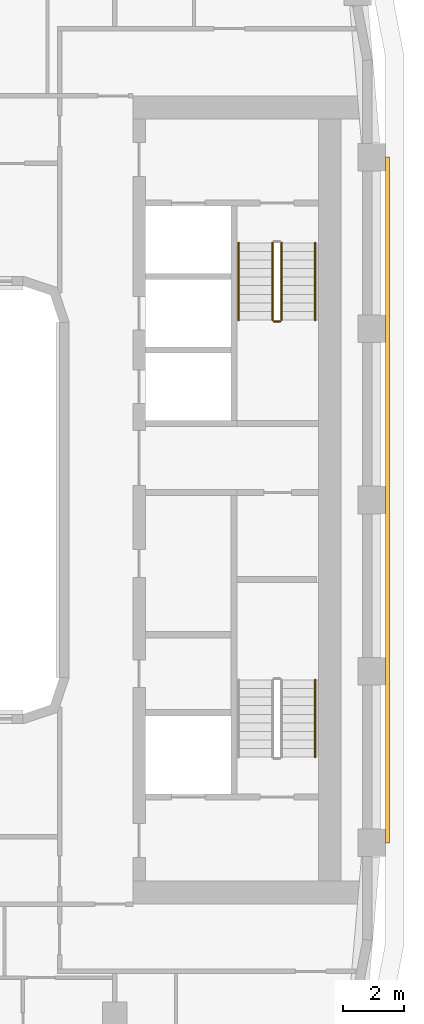
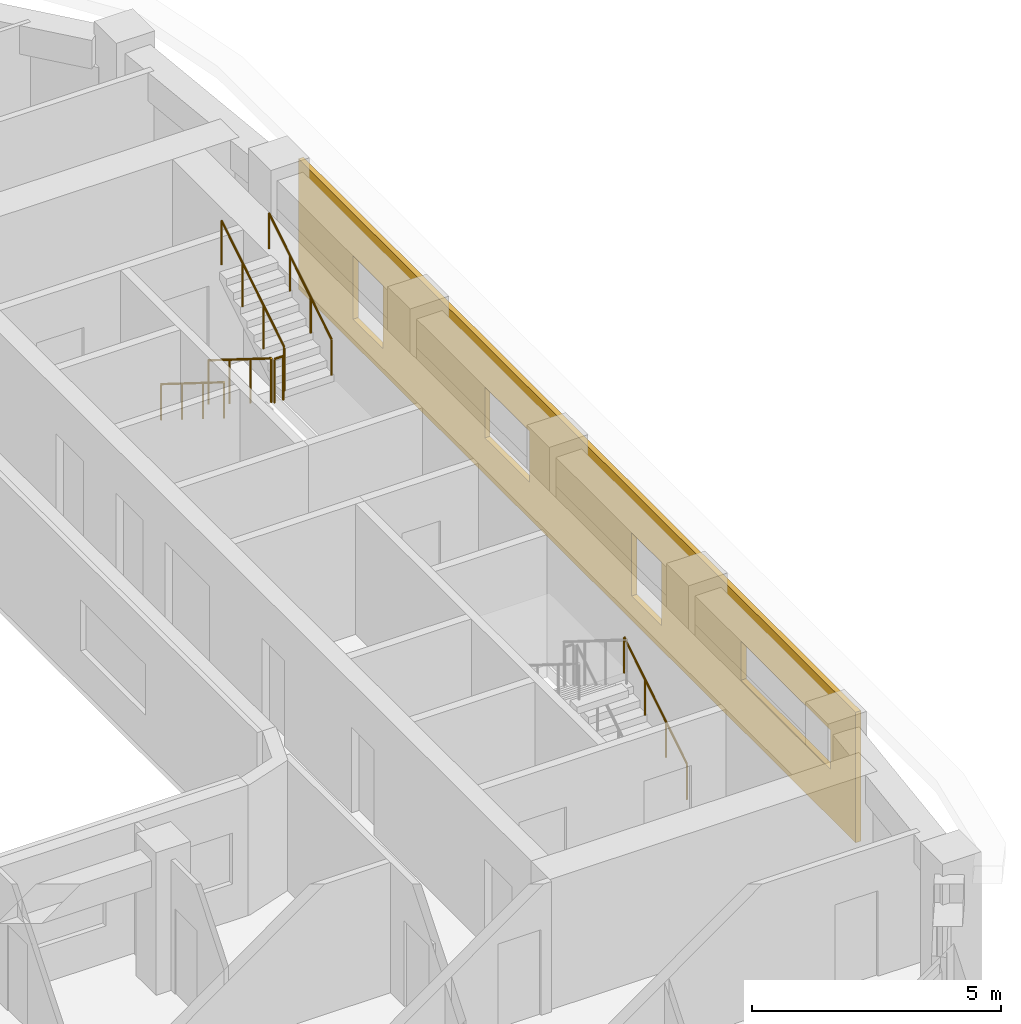
# One storey, part 18 of 21: 6 railings, 1 covering.
"""IFC4 building model written with IfcOpenShell, lengths in metres."""

from ifc_helpers import new_model, si_unit, direction, frame, origin, origin_2d, place, context, subcontext, project, spatial, polyline, circle, outline, extrude, material, layer, layer_set, type_object, element, save


model = new_model("IFC4")

# Units and contexts
model_context = context("Model", 3, precision=1e-05, world=origin(), true_north=direction((0.0, 1.0)))
body_context = subcontext(model_context, "Body", "Model", "MODEL_VIEW")
ifc_project = project(units=[si_unit("LENGTHUNIT", "METRE"), si_unit("AREAUNIT", "SQUARE_METRE"), si_unit("VOLUMEUNIT", "CUBIC_METRE"), si_unit("PLANEANGLEUNIT", "RADIAN"), si_unit("MASSUNIT", "GRAM", prefix="KILO")], contexts=[model_context])

# Site, building, storey
site_placement = place(None, origin())
site = spatial("IfcSite", under=ifc_project, at=site_placement, CompositionType="ELEMENT")
building_placement = place(site_placement, origin())
building = spatial("IfcBuilding", under=site, at=building_placement, Name="Kiln Ring Residences", CompositionType="ELEMENT")
storey_placement = place(building_placement, frame((0.0, 0.0, 195.89990234375)))
storey = spatial("IfcBuildingStorey", under=building, at=storey_placement, Name="L50", CompositionType="ELEMENT", Elevation=195.89990234375)

# Railings
ifc_material_1 = material(Name="Stainless steel", Category="steel")
railing_type_1 = type_object("IfcRailingType", Name="CORE-STAIR-GUARD", PredefinedType="GUARDRAIL", material=ifc_material_1)
railing_1_placement = place(storey_placement, frame((21.949951171875, 8.39990234375, 0.175048828125)))
element("IfcRailing", 1, at=railing_1_placement, inside=storey, type_object=railing_type_1, Name="L50 E-STN stair guard 1", PredefinedType="GUARDRAIL", context=body_context, shape_type="SweptSolid", body=[
    extrude(circle(Radius=0.02392578125, at=origin_2d()), frame((0.0, 0.0, 1.076171875), z_axis=(0.0, -0.848007534815, 0.529984170421), x_axis=(1.0, 0.0, 0.0)), (0.0, 0.0, 1.0), 2.9716796875),
    extrude(circle(Radius=0.02099609375, at=origin_2d()), origin(), (0.0, 0.0, 1.0), 1.052001953125),
    extrude(circle(Radius=0.02099609375, at=origin_2d()), frame((0.0, -0.840087890625, 0.52490234375)), (0.0, 0.0, 1.0), 1.052001953125),
    extrude(circle(Radius=0.02099609375, at=origin_2d()), frame((0.0, -1.679931640625, 1.050048828125)), (0.0, 0.0, 1.0), 1.052001953125),
    extrude(circle(Radius=0.02099609375, at=origin_2d()), frame((0.0, -2.52001953125, 1.574951171875)), (0.0, 0.0, 1.0), 1.052001953125),
])
railing_2_placement = place(storey_placement, frame((22.0, 5.830078125, 1.75)))
element("IfcRailing", 2, at=railing_2_placement, inside=storey, type_object=railing_type_1, Name="L50 E-STN stair guard 2", PredefinedType="GUARDRAIL", context=body_context, shape_type="SweptSolid", body=[
    extrude(circle(Radius=0.02392578125, at=origin_2d()), frame((0.0, 0.0, 1.076171875), z_axis=(1.0, 0.0, 0.0), x_axis=(0.0, 1.0, 0.0)), (0.0, 0.0, 1.0), 0.199951171875),
    extrude(circle(Radius=0.02099609375, at=origin_2d()), origin(), (0.0, 0.0, 1.0), 1.052001953125),
    extrude(circle(Radius=0.02099609375, at=origin_2d()), frame((0.199951171875, 0.0, 0.0)), (0.0, 0.0, 1.0), 1.052001953125),
])
railing_3_placement = place(storey_placement, frame((22.25, 5.8798828125, 1.925048828125)))
element("IfcRailing", 3, at=railing_3_placement, inside=storey, type_object=railing_type_1, Name="L50 E-STN stair guard 3", PredefinedType="GUARDRAIL", context=body_context, shape_type="SweptSolid", body=[
    extrude(circle(Radius=0.02392578125, at=origin_2d()), frame((0.0, 0.0, 1.076171875), z_axis=(0.0, 0.848007534815, 0.529984170421), x_axis=(-1.0, 0.0, 0.0)), (0.0, 0.0, 1.0), 2.9716796875),
    extrude(circle(Radius=0.02099609375, at=origin_2d()), origin(), (0.0, 0.0, 1.0), 1.052001953125),
    extrude(circle(Radius=0.02099609375, at=origin_2d()), frame((0.0, 0.840087890625, 0.52490234375)), (0.0, 0.0, 1.0), 1.052001953125),
    extrude(circle(Radius=0.02099609375, at=origin_2d()), frame((0.0, 1.679931640625, 1.050048828125)), (0.0, 0.0, 1.0), 1.052001953125),
    extrude(circle(Radius=0.02099609375, at=origin_2d()), frame((0.0, 2.52001953125, 1.574951171875)), (0.0, 0.0, 1.0), 1.052001953125),
])
ifc_material_2 = material(Name="Stainless steel", Category="steel")
railing_type_2 = type_object("IfcRailingType", Name="CORE-STAIR-HANDRAIL", PredefinedType="HANDRAIL", material=ifc_material_2)
railing_4_placement = place(storey_placement, frame((20.85009765625, 8.39990234375, 0.175048828125)))
element("IfcRailing", 4, at=railing_4_placement, inside=storey, type_object=railing_type_2, Name="L50 E-STN stair handrail 1", PredefinedType="HANDRAIL", context=body_context, shape_type="SweptSolid", body=[
    extrude(circle(Radius=0.02392578125, at=origin_2d()), frame((0.0, 0.0, 0.8759765625), z_axis=(0.0, -0.848007534815, 0.529984170421), x_axis=(1.0, 0.0, 0.0)), (0.0, 0.0, 1.0), 2.9716796875),
    extrude(circle(Radius=0.02099609375, at=origin_2d()), origin(), (0.0, 0.0, 1.0), 0.851806640625),
    extrude(circle(Radius=0.02099609375, at=origin_2d()), frame((0.0, -0.840087890625, 0.52490234375)), (0.0, 0.0, 1.0), 0.851806640625),
    extrude(circle(Radius=0.02099609375, at=origin_2d()), frame((0.0, -1.679931640625, 1.050048828125)), (0.0, 0.0, 1.0), 0.851806640625),
    extrude(circle(Radius=0.02099609375, at=origin_2d()), frame((0.0, -2.52001953125, 1.574951171875)), (0.0, 0.0, 1.0), 0.851806640625),
])
for number, where, name in (
    (5, (23.35009765625, 5.8798828125, 1.925048828125), "L50 E-STN stair handrail 2"),
    (6, (23.35009765625, -8.39990234375, 0.175048828125), "L50 E-STS stair handrail 1"),
):
    element("IfcRailing", number, at=place(storey_placement, frame(where)), inside=storey, type_object=railing_type_2, Name=name, PredefinedType="HANDRAIL", context=body_context, shape_type="SweptSolid", body=[
        extrude(circle(Radius=0.02392578125, at=origin_2d()), frame((0.0, 0.0, 0.8759765625), z_axis=(0.0, 0.848007534815, 0.529984170421), x_axis=(-1.0, 0.0, 0.0)), (0.0, 0.0, 1.0), 2.9716796875),
        extrude(circle(Radius=0.02099609375, at=origin_2d()), origin(), (0.0, 0.0, 1.0), 0.851806640625),
        extrude(circle(Radius=0.02099609375, at=origin_2d()), frame((0.0, 0.840087890625, 0.52490234375)), (0.0, 0.0, 1.0), 0.851806640625),
        extrude(circle(Radius=0.02099609375, at=origin_2d()), frame((0.0, 1.679931640625, 1.050048828125)), (0.0, 0.0, 1.0), 0.851806640625),
        extrude(circle(Radius=0.02099609375, at=origin_2d()), frame((0.0, 2.52001953125, 1.574951171875)), (0.0, 0.0, 1.0), 0.851806640625),
    ])

# Covering
ifc_material_3 = material(Name="Brick masonry, dark clay brick", Category="masonry")
ifc_layer = layer(ifc_material_3, 0.1201171875)
ifc_layer_set = layer_set([ifc_layer], Name="RAINSCREEN PANEL 120")
covering_type = type_object("IfcCoveringType", Name="RAINSCREEN PANEL 120", PredefinedType="CLADDING", material=ifc_layer_set)
covering_placement = place(storey_placement, frame((25.7099609375, -11.199951171875, 0.0), z_axis=(0.0, 0.0, 1.0), x_axis=(0.0, 1.0, 0.0)))
element("IfcCovering", 7, at=covering_placement, inside=storey, type_object=covering_type, Name="RAINSCREEN L50", PredefinedType="CLADDING", context=body_context, shape_type="SweptSolid", body=[
    extrude(outline(polyline([(0.0, 0.0), (22.39990234375, 0.0), (22.39990234375, 3.2001953125), (0.0, 3.2001953125), (0.0, 0.0)]), holes=[polyline([(9.0, 0.60009765625), (9.0, 2.150146484375), (7.800048828125, 2.150146484375), (7.800048828125, 0.60009765625), (9.0, 0.60009765625)]), polyline([(20.199951171875, 0.60009765625), (20.199951171875, 2.150146484375), (19.0, 2.150146484375), (19.0, 0.60009765625), (20.199951171875, 0.60009765625)]), polyline([(14.89990234375, 0.900146484375), (14.89990234375, 2.150146484375), (13.10009765625, 2.150146484375), (13.10009765625, 0.900146484375), (14.89990234375, 0.900146484375)]), polyline([(4.60009765625, 1.2001953125), (4.60009765625, 2.150146484375), (1.0, 2.150146484375), (1.0, 1.2001953125), (4.60009765625, 1.2001953125)])]), frame((0.0, 0.06005859375, 0.0), z_axis=(0.0, -1.0, 0.0), x_axis=(1.0, 0.0, 0.0)), (0.0, 0.0, 1.0), 0.1201171875),
])

save(model, "model.ifc")
